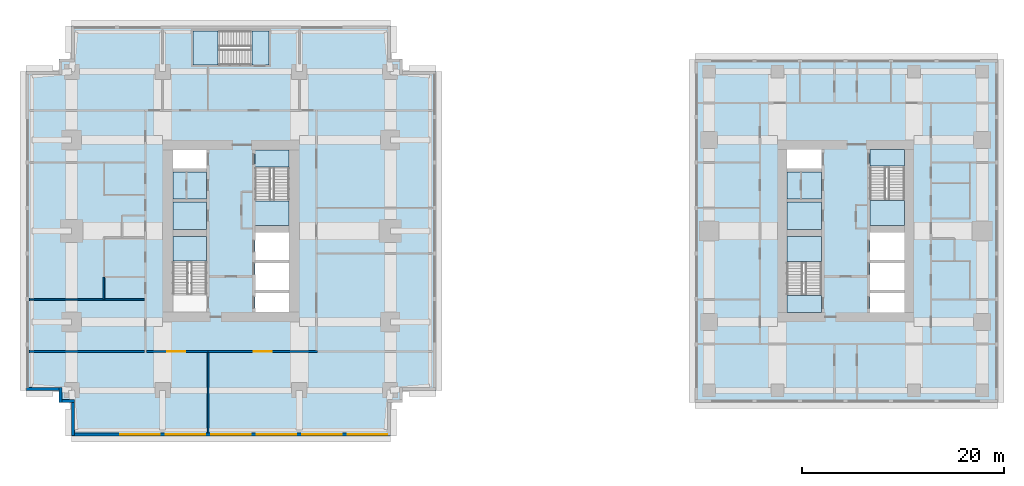
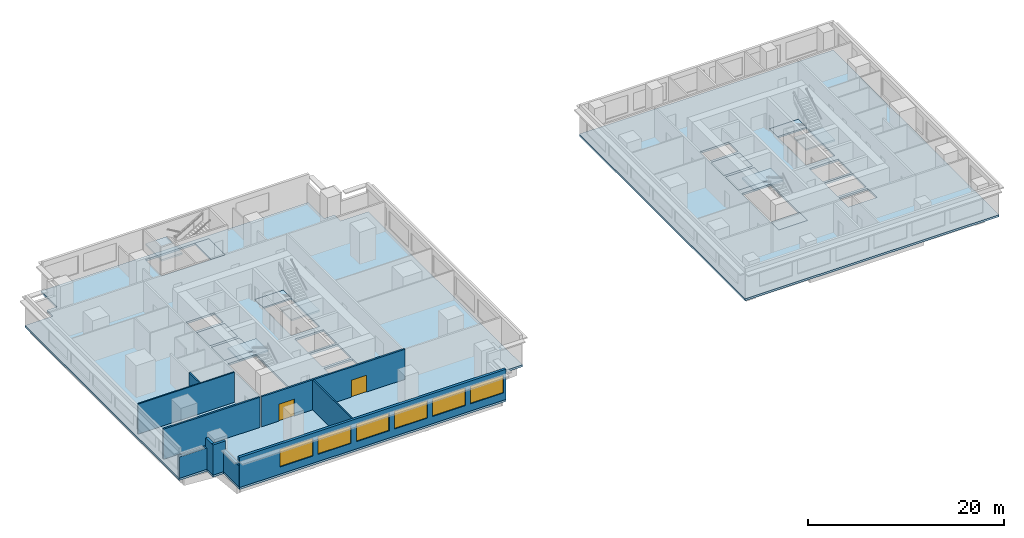
# One storey, part 2 of 11: 15 slabs, 10 walls, 6 windows, 2 doors, 8 openings, 5 elements without a shape of their own.
"""IFC4 building model written with IfcOpenShell, lengths in metres."""

import ifcopenshell
import ifcopenshell.guid

model = None  # the IFC model being written
_history = None  # IfcOwnerHistory: only IFC2X3 demands one
_inside = {}  # id of a spatial element -> (the spatial element, [elements in it])
_under = {}  # id of a project, library or spatial element -> (it, [spatial elements below it])
_declared = {}  # id of a project -> (the project, [libraries it declares])
_typed = {}  # id of a type object -> (the type object, [elements of that type])
_made_of = {}  # id of a material, layer set ... -> (it, [elements and type objects made of it])


def new_model(schema):
    """Start an empty IFC model of exactly this schema.

    Asked for "IFC4X3", IfcOpenShell would pick the latest addendum, in which some entities
    have other attributes; the version numbers below select the first issue.
    IFC2X3 requires an IfcOwnerHistory on every rooted entity: one is made here for all.
    """
    global model, _history
    if schema == "IFC4X3":
        model = ifcopenshell.file(schema_version=(4, 3, 0, 0))
    else:
        model = ifcopenshell.file(schema=schema)
    _inside.clear()
    _under.clear()
    _declared.clear()
    _typed.clear()
    _made_of.clear()
    _history = None
    if model.schema == "IFC2X3":
        org = make("IfcOrganization", Name="unknown")
        user = make(
            "IfcPersonAndOrganization",
            ThePerson=make("IfcPerson", FamilyName="unknown"),
            TheOrganization=org,
        )
        app = make(
            "IfcApplication",
            ApplicationDeveloper=org,
            Version="unknown",
            ApplicationFullName="unknown",
            ApplicationIdentifier="unknown",
        )
        _history = make(
            "IfcOwnerHistory",
            OwningUser=user,
            OwningApplication=app,
            ChangeAction="ADDED",
            CreationDate=0,
        )
    return model


def make(cls, **values):
    """One entity of the class cls with the attributes given. An attribute that is None is left unset."""
    return model.create_entity(
        cls, **{name: value for name, value in values.items() if value is not None}
    )


def rooted(cls, **values):
    """An entity with a GlobalId (a new one), such as an element, a storey or a relation."""
    return make(cls, GlobalId=ifcopenshell.guid.new(), OwnerHistory=_history, **values)


def si_unit(unit_type, name, prefix=None):
    """IfcSIUnit, for example si_unit("LENGTHUNIT", "METRE", prefix="MILLI")."""
    return make("IfcSIUnit", UnitType=unit_type, Prefix=prefix, Name=name)


def assignment(units):
    """IfcUnitAssignment: the units of a project."""
    return None if units is None else make("IfcUnitAssignment", Units=units)


def point(xyz):
    """IfcCartesianPoint."""
    return None if xyz is None else make("IfcCartesianPoint", Coordinates=xyz)


def direction(xyz):
    """IfcDirection."""
    return None if xyz is None else make("IfcDirection", DirectionRatios=xyz)


def frame(location, z_axis=None, x_axis=None):
    """IfcAxis2Placement3D, a coordinate frame: its origin and axes. An axis left out is left unset."""
    return make(
        "IfcAxis2Placement3D",
        Location=point(location),
        Axis=direction(z_axis),
        RefDirection=direction(x_axis),
    )


def frame_2d(location, x_axis=None):
    """IfcAxis2Placement2D, a coordinate frame in the plane: its origin and x axis."""
    return make(
        "IfcAxis2Placement2D", Location=point(location), RefDirection=direction(x_axis)
    )


def origin():
    """The frame at (0, 0, 0) with its axes left unset."""
    return frame((0.0, 0.0, 0.0))


def place(relative_to, where):
    """IfcLocalPlacement: puts the frame where relative to a parent placement (None: the world)."""
    return make(
        "IfcLocalPlacement", PlacementRelTo=relative_to, RelativePlacement=where
    )


def context(
    kind, dimensions, precision=None, world=None, true_north=None, identifier=None
):
    """IfcGeometricRepresentationContext, for example the 3D "Model" context."""
    return make(
        "IfcGeometricRepresentationContext",
        ContextIdentifier=identifier,
        ContextType=kind,
        CoordinateSpaceDimension=dimensions,
        Precision=precision,
        WorldCoordinateSystem=world,
        TrueNorth=true_north,
    )


def subcontext(parent, identifier, kind, view, scale=None):
    """IfcGeometricRepresentationSubContext, for example "Body" below "Model"."""
    return make(
        "IfcGeometricRepresentationSubContext",
        ContextIdentifier=identifier,
        ContextType=kind,
        ParentContext=parent,
        TargetScale=scale,
        TargetView=view,
    )


def project(units=None, contexts=None):
    """IfcProject with its units and contexts."""
    return rooted(
        "IfcProject",
        Name="project",
        RepresentationContexts=contexts,
        UnitsInContext=assignment(units),
    )


def spatial(cls, under=None, at=None, **own):
    """A site, building, storey or space (cls), placed at a placement, below another one or the project."""
    s = rooted(cls, ObjectPlacement=at, **own)
    if under is not None:
        _under.setdefault(under.id(), (under, []))[1].append(s)
    return s


def polyline(points):
    """IfcPolyline through the points."""
    return make("IfcPolyline", Points=[point(p) for p in points])


def profile(cls, at=None, kind="AREA", **sizes):
    """A parametric profile (cls). Its sizes go by their IFC names, for example OverallWidth=200.0."""
    return make(cls, ProfileType=kind, Position=at, **sizes)


def rectangle(**sizes):
    """IfcRectangleProfileDef."""
    return profile("IfcRectangleProfileDef", **sizes)


def outline(outer, holes=None, kind="AREA"):
    """IfcArbitraryClosedProfileDef: a profile drawn as a closed curve; with holes, ...WithVoids."""
    if holes is None:
        return make("IfcArbitraryClosedProfileDef", ProfileType=kind, OuterCurve=outer)
    return make(
        "IfcArbitraryProfileDefWithVoids",
        ProfileType=kind,
        OuterCurve=outer,
        InnerCurves=holes,
    )


def extrude(swept, where, along, depth):
    """IfcExtrudedAreaSolid: the profile swept, set in the frame where, extruded along a direction by depth."""
    return make(
        "IfcExtrudedAreaSolid",
        SweptArea=swept,
        Position=where,
        ExtrudedDirection=direction(along),
        Depth=depth,
    )


def shape(context_of_items, identifier, shape_type, items):
    """IfcShapeRepresentation: the items that make up one representation, for example the "Body"."""
    return make(
        "IfcShapeRepresentation",
        ContextOfItems=context_of_items,
        RepresentationIdentifier=identifier,
        RepresentationType=shape_type,
        Items=items,
    )


def material(Name=None, Category=None):
    """IfcMaterial."""
    return make("IfcMaterial", Name=Name, Category=Category)


def layer(
    of_material, thickness, ventilated=None, Name=None, Category=None, Priority=None
):
    """IfcMaterialLayer: one layer of a wall or slab, of a material (None: an air gap)."""
    return make(
        "IfcMaterialLayer",
        Material=of_material,
        LayerThickness=thickness,
        IsVentilated=ventilated,
        Name=Name,
        Category=Category,
        Priority=Priority,
    )


def layer_set(layers, Name=None):
    """IfcMaterialLayerSet."""
    return make("IfcMaterialLayerSet", MaterialLayers=layers, LayerSetName=Name)


def made_of(thing, what):
    """Note that an element or type object is made of a material, layer set ...; save() writes the relation."""
    if what is not None:
        _made_of.setdefault(what.id(), (what, []))[1].append(thing)
    return thing


def type_object(cls, material=None, **own):
    """A type object (cls), such as IfcWallType, which elements share."""
    return made_of(rooted(cls, **own), material)


def element(
    cls,
    number,
    at=None,
    inside=None,
    cuts=None,
    type_object=None,
    material=None,
    context=None,
    identifier="Body",
    shape_type=None,
    held_by="IfcProductDefinitionShape",
    body=None,
    shapes=None,
    **own,
):
    """One element of the class cls, such as IfcWall. Its Tag is "e" and its number.

    at: its placement. inside: the storey or other place that contains it. cuts: it is an
    opening in that element (IfcRelVoidsElement). A single representation is given by context,
    identifier, shape_type and body (its items); several are given by shapes. held_by: the class
    of the entity that holds the representations. save() writes the other relations.
    """
    e = rooted(cls, Tag="e%d" % number, ObjectPlacement=at, **own)
    if body is not None:
        shapes = [shape(context, identifier, shape_type, body)]
    if shapes is not None:
        e.Representation = make(held_by, Representations=shapes)
    if inside is not None:
        _inside.setdefault(inside.id(), (inside, []))[1].append(e)
    if cuts is not None:
        rooted(
            "IfcRelVoidsElement", RelatingBuildingElement=cuts, RelatedOpeningElement=e
        )
    if type_object is not None:
        _typed.setdefault(type_object.id(), (type_object, []))[1].append(e)
    return made_of(e, material)


def fill(opening, filler):
    """IfcRelFillsElement: the door or window that sits in an opening."""
    return rooted(
        "IfcRelFillsElement",
        RelatingOpeningElement=opening,
        RelatedBuildingElement=filler,
    )


def aggregate(whole, parts):
    """IfcRelAggregates: a whole, such as a stair, and the parts it consists of."""
    return rooted("IfcRelAggregates", RelatingObject=whole, RelatedObjects=parts)


def save(model, path):
    """Write the relations noted so far, then the file.

    IfcRelAggregates (storeys below a building ...), IfcRelContainedInSpatialStructure (elements
    in a storey), IfcRelDefinesByType, IfcRelAssociatesMaterial and IfcRelDeclares: one each for
    every whole, place, type object, material and project.
    """
    for whole, parts in _under.values():
        aggregate(whole, parts)
    for where, things in _inside.values():
        rooted(
            "IfcRelContainedInSpatialStructure",
            RelatedElements=things,
            RelatingStructure=where,
        )
    for kind, things in _typed.values():
        rooted("IfcRelDefinesByType", RelatedObjects=things, RelatingType=kind)
    for what, things in _made_of.values():
        rooted("IfcRelAssociatesMaterial", RelatedObjects=things, RelatingMaterial=what)
    for by, libraries in _declared.values():
        rooted("IfcRelDeclares", RelatingContext=by, RelatedDefinitions=libraries)
    model.write(path)


model = new_model("IFC4")

# Units and contexts
model_context = context("Model", 3, precision=1e-05, world=origin(), true_north=direction((0.0, 1.0)))
body_context = subcontext(model_context, "Body", "Model", "MODEL_VIEW")
ifc_project = project(units=[si_unit("LENGTHUNIT", "METRE"), si_unit("AREAUNIT", "SQUARE_METRE"), si_unit("VOLUMEUNIT", "CUBIC_METRE"), si_unit("PLANEANGLEUNIT", "RADIAN"), si_unit("MASSUNIT", "GRAM", prefix="KILO")], contexts=[model_context])

# Site, building, storey
site_placement = place(None, origin())
site = spatial("IfcSite", under=ifc_project, at=site_placement, CompositionType="ELEMENT")
building_placement = place(site_placement, origin())
building = spatial("IfcBuilding", under=site, at=building_placement, Name="Namib Vertical Campus", CompositionType="ELEMENT")
storey_placement = place(building_placement, frame((0.0, 0.0, 225.0)))
storey = spatial("IfcBuildingStorey", under=building, at=storey_placement, Name="L53", CompositionType="ELEMENT", Elevation=225.0)

# Slabs
ifc_material_1 = material(Name="Concrete C40/50", Category="concrete")
ifc_layer_1 = layer(ifc_material_1, 0.25)
ifc_layer_set_1 = layer_set([ifc_layer_1], Name="Concrete C40/50")
slab_type_1 = type_object("IfcSlabType", Name="Floor slab 250", PredefinedType="FLOOR", material=ifc_layer_set_1)
slab_1_placement = place(storey_placement, frame((0.0, 0.0, -0.25)))
element("IfcSlab", 1, at=slab_1_placement, inside=storey, type_object=slab_type_1, Name="Floor slab A L53", PredefinedType="FLOOR", context=body_context, shape_type="SweptSolid", body=[
    extrude(outline(polyline([(4.5, 0.0), (36.0, 0.0), (36.0, 3.27490234375), (37.22509765625, 3.27490234375), (37.22509765625, 4.5), (40.5, 4.5), (40.5, 36.0), (37.22509765625, 36.0), (37.22509765625, 37.22509765625), (36.0, 37.22509765625), (36.0, 40.5), (4.5, 40.5), (4.5, 37.22509765625), (3.27490234375, 37.22509765625), (3.27490234375, 36.0), (0.0, 36.0), (0.0, 4.5), (3.27490234375, 4.5), (3.27490234375, 3.27490234375), (4.5, 3.27490234375), (4.5, 0.0)]), holes=[polyline([(14.5, 12.25), (17.85009765625, 12.25), (17.85009765625, 19.699951171875), (14.5, 19.699951171875), (14.5, 12.25)]), polyline([(22.64990234375, 20.800048828125), (26.0, 20.800048828125), (26.0, 28.25), (22.64990234375, 28.25), (22.64990234375, 20.800048828125)]), polyline([(22.64990234375, 12.25), (26.0, 12.25), (26.0, 14.10009765625), (22.64990234375, 14.10009765625), (22.64990234375, 12.25)]), polyline([(14.5, 20.39990234375), (17.85009765625, 20.39990234375), (17.85009765625, 23.10009765625), (14.5, 23.10009765625), (14.5, 20.39990234375)]), polyline([(14.5, 23.39990234375), (17.85009765625, 23.39990234375), (17.85009765625, 26.10009765625), (14.5, 26.10009765625), (14.5, 23.39990234375)]), polyline([(14.5, 26.39990234375), (17.85009765625, 26.39990234375), (17.85009765625, 28.25), (14.5, 28.25), (14.5, 26.39990234375)]), polyline([(22.64990234375, 14.39990234375), (26.0, 14.39990234375), (26.0, 17.10009765625), (22.64990234375, 17.10009765625), (22.64990234375, 14.39990234375)]), polyline([(22.64990234375, 17.39990234375), (26.0, 17.39990234375), (26.0, 20.10009765625), (22.64990234375, 20.10009765625), (22.64990234375, 17.39990234375)]), polyline([(16.5, 36.64990234375), (24.0, 36.64990234375), (24.0, 40.0), (16.5, 40.0), (16.5, 36.64990234375)])]), origin(), (0.0, 0.0, 1.0), 0.25),
])
slab_2_placement = place(storey_placement, frame((0.0, 0.0, -0.25)))
element("IfcSlab", 2, at=slab_2_placement, inside=storey, type_object=slab_type_1, Name="Floor slab B L53", PredefinedType="FLOOR", context=body_context, shape_type="SweptSolid", body=[
    extrude(outline(polyline([(66.10009765625, 3.300048828125), (96.050048828125, 3.300048828125), (96.050048828125, 37.199951171875), (66.10009765625, 37.199951171875), (66.10009765625, 3.300048828125)]), holes=[polyline([(75.199951171875, 12.199951171875), (78.60009765625, 12.199951171875), (78.60009765625, 19.699951171875), (75.199951171875, 19.699951171875), (75.199951171875, 12.199951171875)]), polyline([(83.39990234375, 20.800048828125), (86.800048828125, 20.800048828125), (86.800048828125, 28.300048828125), (83.39990234375, 28.300048828125), (83.39990234375, 20.800048828125)]), polyline([(83.39990234375, 12.199951171875), (86.800048828125, 12.199951171875), (86.800048828125, 14.10009765625), (83.39990234375, 14.10009765625), (83.39990234375, 12.199951171875)]), polyline([(75.199951171875, 20.39990234375), (78.60009765625, 20.39990234375), (78.60009765625, 23.10009765625), (75.199951171875, 23.10009765625), (75.199951171875, 20.39990234375)]), polyline([(75.199951171875, 23.39990234375), (78.60009765625, 23.39990234375), (78.60009765625, 26.10009765625), (75.199951171875, 26.10009765625), (75.199951171875, 23.39990234375)]), polyline([(75.199951171875, 26.39990234375), (78.60009765625, 26.39990234375), (78.60009765625, 28.300048828125), (75.199951171875, 28.300048828125), (75.199951171875, 26.39990234375)]), polyline([(83.39990234375, 14.39990234375), (86.800048828125, 14.39990234375), (86.800048828125, 17.10009765625), (83.39990234375, 17.10009765625), (83.39990234375, 14.39990234375)]), polyline([(83.39990234375, 17.39990234375), (86.800048828125, 17.39990234375), (86.800048828125, 20.10009765625), (83.39990234375, 20.10009765625), (83.39990234375, 17.39990234375)])]), origin(), (0.0, 0.0, 1.0), 0.25),
])
ifc_material_2 = material(Name="Concrete C40/50 precast", Category="concrete")
ifc_layer_2 = layer(ifc_material_2, 0.25)
ifc_layer_set_2 = layer_set([ifc_layer_2], Name="Concrete C40/50 precast")
slab_type_2 = type_object("IfcSlabType", Name="Shaft infill floor 250", PredefinedType="FLOOR", material=ifc_layer_set_2)
slab_3_placement = place(storey_placement, frame((0.0, 0.0, -0.25)))
element("IfcSlab", 3, at=slab_3_placement, inside=storey, type_object=slab_type_2, Name="Shaft infill floor A L53 P1", PredefinedType="FLOOR", context=body_context, shape_type="SweptSolid", body=[
    extrude(outline(polyline([(14.5, 20.39990234375), (17.85009765625, 20.39990234375), (17.85009765625, 23.10009765625), (14.5, 23.10009765625), (14.5, 20.39990234375)])), origin(), (0.0, 0.0, 1.0), 0.25),
])
slab_4_placement = place(storey_placement, frame((0.0, 0.0, -0.25)))
element("IfcSlab", 4, at=slab_4_placement, inside=storey, type_object=slab_type_2, Name="Shaft infill floor A L53 P2", PredefinedType="FLOOR", context=body_context, shape_type="SweptSolid", body=[
    extrude(outline(polyline([(14.5, 23.39990234375), (17.85009765625, 23.39990234375), (17.85009765625, 26.10009765625), (14.5, 26.10009765625), (14.5, 23.39990234375)])), origin(), (0.0, 0.0, 1.0), 0.25),
])
slab_5_placement = place(storey_placement, frame((0.0, 0.0, -0.25)))
element("IfcSlab", 5, at=slab_5_placement, inside=storey, type_object=slab_type_2, Name="Shaft infill floor B L53 P1", PredefinedType="FLOOR", context=body_context, shape_type="SweptSolid", body=[
    extrude(outline(polyline([(75.199951171875, 20.39990234375), (78.60009765625, 20.39990234375), (78.60009765625, 23.10009765625), (75.199951171875, 23.10009765625), (75.199951171875, 20.39990234375)])), origin(), (0.0, 0.0, 1.0), 0.25),
])
slab_6_placement = place(storey_placement, frame((0.0, 0.0, -0.25)))
element("IfcSlab", 6, at=slab_6_placement, inside=storey, type_object=slab_type_2, Name="Shaft infill floor B L53 P2", PredefinedType="FLOOR", context=body_context, shape_type="SweptSolid", body=[
    extrude(outline(polyline([(75.199951171875, 23.39990234375), (78.60009765625, 23.39990234375), (78.60009765625, 26.10009765625), (75.199951171875, 26.10009765625), (75.199951171875, 23.39990234375)])), origin(), (0.0, 0.0, 1.0), 0.25),
])

# Stair, slab
ifc_material_3 = material(Name="Concrete C40/50 precast", Category="concrete")
stair_type_1 = type_object("IfcStairType", Name="Exit stair 4000 rise 24 risers 3350 wide", PredefinedType="HALF_TURN_STAIR", material=ifc_material_3)
stair_1_placement = place(storey_placement, origin())
stair_1 = element("IfcStair", 7, at=stair_1_placement, inside=storey, type_object=stair_type_1, Name="Exit stair A-S1 L53", PredefinedType="HALF_TURN_STAIR")
ifc_material_4 = material(Name="Concrete C40/50", Category="concrete")
ifc_layer_3 = layer(ifc_material_4, 0.199951171875)
ifc_layer_set_3 = layer_set([ifc_layer_3], Name="Concrete C40/50")
slab_type_3 = type_object("IfcSlabType", Name="Stair landing 200", PredefinedType="LANDING", material=ifc_layer_set_3)
slab_7_placement = place(storey_placement, frame((0.0, 0.0, 1.800048828125)))
slab_7 = element("IfcSlab", 8, at=slab_7_placement, type_object=slab_type_3, Name="A-S1 landing 2", PredefinedType="LANDING", context=body_context, shape_type="SweptSolid", body=[
    extrude(outline(polyline([(14.5, 17.276123046875), (17.85009765625, 17.276123046875), (17.85009765625, 19.699951171875), (14.5, 19.699951171875), (14.5, 17.276123046875)])), origin(), (0.0, 0.0, 1.0), 0.199951171875),
])
aggregate(stair_1, [slab_7])

# Stair, slabs
stair_2_placement = place(storey_placement, origin())
stair_2 = element("IfcStair", 9, at=stair_2_placement, inside=storey, type_object=stair_type_1, Name="Exit stair A-S2 L53", PredefinedType="HALF_TURN_STAIR")
slab_8_placement = place(storey_placement, frame((0.0, 0.0, -0.199951171875)))
slab_8 = element("IfcSlab", 10, at=slab_8_placement, type_object=slab_type_3, Name="A-S2 landing 1", PredefinedType="LANDING", context=body_context, shape_type="SweptSolid", body=[
    extrude(outline(polyline([(22.64990234375, 26.59619140625), (26.0, 26.59619140625), (26.0, 28.25), (22.64990234375, 28.25), (22.64990234375, 26.59619140625)])), origin(), (0.0, 0.0, 1.0), 0.199951171875),
])
slab_9_placement = place(storey_placement, frame((0.0, 0.0, 1.800048828125)))
slab_9 = element("IfcSlab", 11, at=slab_9_placement, type_object=slab_type_3, Name="A-S2 landing 2", PredefinedType="LANDING", context=body_context, shape_type="SweptSolid", body=[
    extrude(outline(polyline([(22.64990234375, 20.800048828125), (26.0, 20.800048828125), (26.0, 23.223876953125), (22.64990234375, 23.223876953125), (22.64990234375, 20.800048828125)])), origin(), (0.0, 0.0, 1.0), 0.199951171875),
])
aggregate(stair_2, [slab_8, slab_9])

ifc_material_5 = material(Name="Concrete C40/50 precast", Category="concrete")
stair_type_2 = type_object("IfcStairType", Name="Exit stair 4000 rise 24 risers 3400 wide", PredefinedType="HALF_TURN_STAIR", material=ifc_material_5)
stair_3_placement = place(storey_placement, origin())
stair_3 = element("IfcStair", 12, at=stair_3_placement, inside=storey, type_object=stair_type_2, Name="Exit stair B-S1 L53", PredefinedType="HALF_TURN_STAIR")
slab_10_placement = place(storey_placement, frame((0.0, 0.0, -0.199951171875)))
slab_10 = element("IfcSlab", 13, at=slab_10_placement, type_object=slab_type_3, Name="B-S1 landing 1", PredefinedType="LANDING", context=body_context, shape_type="SweptSolid", body=[
    extrude(outline(polyline([(75.199951171875, 12.199951171875), (78.60009765625, 12.199951171875), (78.60009765625, 13.85400390625), (75.199951171875, 13.85400390625), (75.199951171875, 12.199951171875)])), origin(), (0.0, 0.0, 1.0), 0.199951171875),
])
slab_11_placement = place(storey_placement, frame((0.0, 0.0, 1.800048828125)))
slab_11 = element("IfcSlab", 14, at=slab_11_placement, type_object=slab_type_3, Name="B-S1 landing 2", PredefinedType="LANDING", context=body_context, shape_type="SweptSolid", body=[
    extrude(outline(polyline([(75.199951171875, 17.22607421875), (78.60009765625, 17.22607421875), (78.60009765625, 19.699951171875), (75.199951171875, 19.699951171875), (75.199951171875, 17.22607421875)])), origin(), (0.0, 0.0, 1.0), 0.199951171875),
])
aggregate(stair_3, [slab_10, slab_11])

stair_4_placement = place(storey_placement, origin())
stair_4 = element("IfcStair", 15, at=stair_4_placement, inside=storey, type_object=stair_type_2, Name="Exit stair B-S2 L53", PredefinedType="HALF_TURN_STAIR")
slab_12_placement = place(storey_placement, frame((0.0, 0.0, -0.199951171875)))
slab_12 = element("IfcSlab", 16, at=slab_12_placement, type_object=slab_type_3, Name="B-S2 landing 1", PredefinedType="LANDING", context=body_context, shape_type="SweptSolid", body=[
    extrude(outline(polyline([(83.39990234375, 26.64599609375), (86.800048828125, 26.64599609375), (86.800048828125, 28.300048828125), (83.39990234375, 28.300048828125), (83.39990234375, 26.64599609375)])), origin(), (0.0, 0.0, 1.0), 0.199951171875),
])
slab_13_placement = place(storey_placement, frame((0.0, 0.0, 1.800048828125)))
slab_13 = element("IfcSlab", 17, at=slab_13_placement, type_object=slab_type_3, Name="B-S2 landing 2", PredefinedType="LANDING", context=body_context, shape_type="SweptSolid", body=[
    extrude(outline(polyline([(83.39990234375, 20.800048828125), (86.800048828125, 20.800048828125), (86.800048828125, 23.27392578125), (83.39990234375, 23.27392578125), (83.39990234375, 20.800048828125)])), origin(), (0.0, 0.0, 1.0), 0.199951171875),
])
aggregate(stair_4, [slab_12, slab_13])

stair_5_placement = place(storey_placement, origin())
stair_5 = element("IfcStair", 18, at=stair_5_placement, inside=storey, type_object=stair_type_1, Name="Exit stair A-S3 L53", PredefinedType="HALF_TURN_STAIR")
slab_14_placement = place(storey_placement, frame((0.0, 0.0, -0.199951171875)))
slab_14 = element("IfcSlab", 19, at=slab_14_placement, type_object=slab_type_3, Name="A-S3 landing 1", PredefinedType="LANDING", context=body_context, shape_type="SweptSolid", body=[
    extrude(outline(polyline([(22.34619140625, 36.64990234375), (22.34619140625, 40.0), (24.0, 40.0), (24.0, 36.64990234375), (22.34619140625, 36.64990234375)])), origin(), (0.0, 0.0, 1.0), 0.199951171875),
])
slab_15_placement = place(storey_placement, frame((0.0, 0.0, 1.800048828125)))
slab_15 = element("IfcSlab", 20, at=slab_15_placement, type_object=slab_type_3, Name="A-S3 landing 2", PredefinedType="LANDING", context=body_context, shape_type="SweptSolid", body=[
    extrude(outline(polyline([(16.5, 36.64990234375), (16.5, 40.0), (18.973876953125, 40.0), (18.973876953125, 36.64990234375), (16.5, 36.64990234375)])), origin(), (0.0, 0.0, 1.0), 0.199951171875),
])
aggregate(stair_5, [slab_14, slab_15])

# Wall, openings, doors
ifc_material_6 = material(Name="Concrete masonry", Category="masonry")
ifc_layer_4 = layer(ifc_material_6, 0.199951171875)
ifc_layer_set_4 = layer_set([ifc_layer_4], Name="Corridor wall 200")
wall_type_1 = type_object("IfcWallType", Name="Corridor wall 200", PredefinedType="SOLIDWALL", material=ifc_layer_set_4)
wall_1_placement = place(storey_placement, frame((11.89990234375, 8.35009765625, 0.0), z_axis=(0.0, 0.0, 1.0), x_axis=(1.0, 0.0, 0.0)))
wall_1 = element("IfcWall", 21, at=wall_1_placement, inside=storey, type_object=wall_type_1, Name="Corridor wall A L53 CS", PredefinedType="SOLIDWALL", context=body_context, shape_type="SweptSolid", body=[
    extrude(rectangle(XDim=16.900146484375, YDim=0.199951171875, at=frame_2d((8.4501953125, 0.0))), origin(), (0.0, 0.0, 1.0), 3.75),
])
opening_1_placement = place(wall_1_placement, frame((2.050048828125, 0.0, 0.0)))
opening_1 = element("IfcOpeningElement", 22, at=opening_1_placement, cuts=wall_1, Name="Opening CD2", PredefinedType="OPENING", context=body_context, shape_type="SweptSolid", body=[
    extrude(rectangle(XDim=1.800048828125, YDim=2.10009765625, at=frame_2d((0.89990234375, 1.050048828125))), frame((0.0, 0.10986328125, 0.0), z_axis=(0.0, -1.0, 0.0), x_axis=(1.0, 0.0, 0.0)), (0.0, 0.0, 1.0), 0.219970703125),
])
opening_2_placement = place(wall_1_placement, frame((10.60009765625, 0.0, 0.0)))
opening_2 = element("IfcOpeningElement", 23, at=opening_2_placement, cuts=wall_1, Name="Opening CD2", PredefinedType="OPENING", context=body_context, shape_type="SweptSolid", body=[
    extrude(rectangle(XDim=1.800048828125, YDim=2.10009765625, at=frame_2d((0.89990234375, 1.050048828125))), frame((0.0, 0.10986328125, 0.0), z_axis=(0.0, -1.0, 0.0), x_axis=(1.0, 0.0, 0.0)), (0.0, 0.0, 1.0), 0.219970703125),
])
ifc_material_7 = material(Name="Timber fire door leaf", Category="wood")
door_type = type_object("IfcDoorType", Name="Corridor door double 1800x2100 20 min", OperationType="DOUBLE_DOOR_SINGLE_SWING", PredefinedType="DOOR", material=ifc_material_7)
door_1_placement = place(opening_1_placement, frame((1.800048828125, 0.0, 0.0), z_axis=(0.0, 0.0, 1.0), x_axis=(-1.0, 0.0, 0.0)))
door_1 = element("IfcDoor", 24, at=door_1_placement, inside=storey, type_object=door_type, Name="Door CD2 A53-01", OperationType="DOUBLE_DOOR_SINGLE_SWING", OverallHeight=2.10009765625, OverallWidth=1.800048828125, PredefinedType="DOOR", context=body_context, shape_type="SweptSolid", body=[
    extrude(rectangle(XDim=1.800048828125, YDim=2.10009765625, at=frame_2d((0.89990234375, 1.050048828125))), frame((0.0, 0.02490234375, 0.0), z_axis=(0.0, -1.0, 0.0), x_axis=(1.0, 0.0, 0.0)), (0.0, 0.0, 1.0), 0.050048828125),
])
fill(opening_1, door_1)
door_2_placement = place(opening_2_placement, frame((1.800048828125, 0.0, 0.0), z_axis=(0.0, 0.0, 1.0), x_axis=(-1.0, 0.0, 0.0)))
door_2 = element("IfcDoor", 25, at=door_2_placement, inside=storey, type_object=door_type, Name="Door CD2 A53-02", OperationType="DOUBLE_DOOR_SINGLE_SWING", OverallHeight=2.10009765625, OverallWidth=1.800048828125, PredefinedType="DOOR", context=body_context, shape_type="SweptSolid", body=[
    extrude(rectangle(XDim=1.800048828125, YDim=2.10009765625, at=frame_2d((0.89990234375, 1.050048828125))), frame((0.0, 0.02490234375, 0.0), z_axis=(0.0, -1.0, 0.0), x_axis=(1.0, 0.0, 0.0)), (0.0, 0.0, 1.0), 0.050048828125),
])
fill(opening_2, door_2)

# Wall
wall_2_placement = place(storey_placement, frame((0.300048828125, 8.35009765625, 0.0), z_axis=(0.0, 0.0, 1.0), x_axis=(1.0, 0.0, 0.0)))
element("IfcWall", 26, at=wall_2_placement, inside=storey, type_object=wall_type_1, Name="Partition A L53 BSW", PredefinedType="SOLIDWALL", context=body_context, shape_type="SweptSolid", body=[
    extrude(rectangle(XDim=11.39990234375, YDim=0.199951171875, at=frame_2d((5.699951171875, 0.0))), origin(), (0.0, 0.0, 1.0), 3.75),
])

# Wall, openings, windows
ifc_material_8 = material(Name="Concrete C40/50", Category="concrete")
ifc_layer_5 = layer(ifc_material_8, 0.300048828125)
ifc_layer_set_5 = layer_set([ifc_layer_5], Name="Concrete C40/50")
wall_type_2 = type_object("IfcWallType", Name="External wall 300 board-marked concrete", PredefinedType="STANDARD", material=ifc_layer_set_5)
wall_3_placement = place(storey_placement, frame((4.52001953125, 0.14990234375, 0.0), z_axis=(0.0, 0.0, 1.0), x_axis=(1.0, 0.0, 0.0)))
wall_3 = element("IfcWall", 27, at=wall_3_placement, inside=storey, type_object=wall_type_2, Name="External wall L53 F01", PredefinedType="STANDARD", context=body_context, shape_type="SweptSolid", body=[
    extrude(rectangle(XDim=31.4599609375, YDim=0.300048828125, at=frame_2d((15.72998046875, 0.0))), origin(), (0.0, 0.0, 1.0), 3.75),
])
opening_3_placement = place(wall_3_placement, frame((4.780029296875, 0.0, 0.89990234375)))
opening_3 = element("IfcOpeningElement", 28, at=opening_3_placement, cuts=wall_3, Name="Opening W1", PredefinedType="OPENING", context=body_context, shape_type="SweptSolid", body=[
    extrude(rectangle(XDim=3.89990234375, YDim=2.199951171875, at=frame_2d((1.949951171875, 1.10009765625))), frame((0.0, 0.159912109375, 0.0), z_axis=(0.0, -1.0, 0.0), x_axis=(1.0, 0.0, 0.0)), (0.0, 0.0, 1.0), 0.320068359375),
])
opening_4_placement = place(wall_3_placement, frame((9.280029296875, 0.0, 0.89990234375)))
opening_4 = element("IfcOpeningElement", 29, at=opening_4_placement, cuts=wall_3, Name="Opening W1", PredefinedType="OPENING", context=body_context, shape_type="SweptSolid", body=[
    extrude(rectangle(XDim=3.89990234375, YDim=2.199951171875, at=frame_2d((1.949951171875, 1.10009765625))), frame((0.0, 0.159912109375, 0.0), z_axis=(0.0, -1.0, 0.0), x_axis=(1.0, 0.0, 0.0)), (0.0, 0.0, 1.0), 0.320068359375),
])
opening_5_placement = place(wall_3_placement, frame((13.780029296875, 0.0, 0.89990234375)))
opening_5 = element("IfcOpeningElement", 30, at=opening_5_placement, cuts=wall_3, Name="Opening W1", PredefinedType="OPENING", context=body_context, shape_type="SweptSolid", body=[
    extrude(rectangle(XDim=3.89990234375, YDim=2.199951171875, at=frame_2d((1.949951171875, 1.10009765625))), frame((0.0, 0.159912109375, 0.0), z_axis=(0.0, -1.0, 0.0), x_axis=(1.0, 0.0, 0.0)), (0.0, 0.0, 1.0), 0.320068359375),
])
opening_6_placement = place(wall_3_placement, frame((18.280029296875, 0.0, 0.89990234375)))
opening_6 = element("IfcOpeningElement", 31, at=opening_6_placement, cuts=wall_3, Name="Opening W1", PredefinedType="OPENING", context=body_context, shape_type="SweptSolid", body=[
    extrude(rectangle(XDim=3.89990234375, YDim=2.199951171875, at=frame_2d((1.949951171875, 1.10009765625))), frame((0.0, 0.159912109375, 0.0), z_axis=(0.0, -1.0, 0.0), x_axis=(1.0, 0.0, 0.0)), (0.0, 0.0, 1.0), 0.320068359375),
])
opening_7_placement = place(wall_3_placement, frame((22.780029296875, 0.0, 0.89990234375)))
opening_7 = element("IfcOpeningElement", 32, at=opening_7_placement, cuts=wall_3, Name="Opening W1", PredefinedType="OPENING", context=body_context, shape_type="SweptSolid", body=[
    extrude(rectangle(XDim=3.89990234375, YDim=2.199951171875, at=frame_2d((1.949951171875, 1.10009765625))), frame((0.0, 0.159912109375, 0.0), z_axis=(0.0, -1.0, 0.0), x_axis=(1.0, 0.0, 0.0)), (0.0, 0.0, 1.0), 0.320068359375),
])
opening_8_placement = place(wall_3_placement, frame((27.280029296875, 0.0, 0.89990234375)))
opening_8 = element("IfcOpeningElement", 33, at=opening_8_placement, cuts=wall_3, Name="Opening W1", PredefinedType="OPENING", context=body_context, shape_type="SweptSolid", body=[
    extrude(rectangle(XDim=3.89990234375, YDim=2.199951171875, at=frame_2d((1.949951171875, 1.10009765625))), frame((0.0, 0.159912109375, 0.0), z_axis=(0.0, -1.0, 0.0), x_axis=(1.0, 0.0, 0.0)), (0.0, 0.0, 1.0), 0.320068359375),
])
ifc_material_9 = material(Name="Dark tinted glass in black aluminium frame", Category="aluminium")
window_type = type_object("IfcWindowType", Name="Ribbon window 3900x2200", PartitioningType="SINGLE_PANEL", PredefinedType="WINDOW", material=ifc_material_9)
window_1_placement = place(opening_3_placement, origin())
window_1 = element("IfcWindow", 34, at=window_1_placement, inside=storey, type_object=window_type, Name="Window W1 L53 F01-2", OverallHeight=2.199951171875, OverallWidth=3.89990234375, PartitioningType="SINGLE_PANEL", PredefinedType="WINDOW", context=body_context, shape_type="SweptSolid", body=[
    extrude(rectangle(XDim=3.89990234375, YDim=2.199951171875, at=frame_2d((1.949951171875, 1.10009765625))), frame((0.0, 0.030029296875, 0.0), z_axis=(0.0, -1.0, 0.0), x_axis=(1.0, 0.0, 0.0)), (0.0, 0.0, 1.0), 0.06005859375),
])
fill(opening_3, window_1)
window_2_placement = place(opening_4_placement, origin())
window_2 = element("IfcWindow", 35, at=window_2_placement, inside=storey, type_object=window_type, Name="Window W1 L53 F01-3", OverallHeight=2.199951171875, OverallWidth=3.89990234375, PartitioningType="SINGLE_PANEL", PredefinedType="WINDOW", context=body_context, shape_type="SweptSolid", body=[
    extrude(rectangle(XDim=3.89990234375, YDim=2.199951171875, at=frame_2d((1.949951171875, 1.10009765625))), frame((0.0, 0.030029296875, 0.0), z_axis=(0.0, -1.0, 0.0), x_axis=(1.0, 0.0, 0.0)), (0.0, 0.0, 1.0), 0.06005859375),
])
fill(opening_4, window_2)
window_3_placement = place(opening_5_placement, origin())
window_3 = element("IfcWindow", 36, at=window_3_placement, inside=storey, type_object=window_type, Name="Window W1 L53 F01-4", OverallHeight=2.199951171875, OverallWidth=3.89990234375, PartitioningType="SINGLE_PANEL", PredefinedType="WINDOW", context=body_context, shape_type="SweptSolid", body=[
    extrude(rectangle(XDim=3.89990234375, YDim=2.199951171875, at=frame_2d((1.949951171875, 1.10009765625))), frame((0.0, 0.030029296875, 0.0), z_axis=(0.0, -1.0, 0.0), x_axis=(1.0, 0.0, 0.0)), (0.0, 0.0, 1.0), 0.06005859375),
])
fill(opening_5, window_3)
window_4_placement = place(opening_6_placement, origin())
window_4 = element("IfcWindow", 37, at=window_4_placement, inside=storey, type_object=window_type, Name="Window W1 L53 F01-5", OverallHeight=2.199951171875, OverallWidth=3.89990234375, PartitioningType="SINGLE_PANEL", PredefinedType="WINDOW", context=body_context, shape_type="SweptSolid", body=[
    extrude(rectangle(XDim=3.89990234375, YDim=2.199951171875, at=frame_2d((1.949951171875, 1.10009765625))), frame((0.0, 0.030029296875, 0.0), z_axis=(0.0, -1.0, 0.0), x_axis=(1.0, 0.0, 0.0)), (0.0, 0.0, 1.0), 0.06005859375),
])
fill(opening_6, window_4)
window_5_placement = place(opening_7_placement, origin())
window_5 = element("IfcWindow", 38, at=window_5_placement, inside=storey, type_object=window_type, Name="Window W1 L53 F01-6", OverallHeight=2.199951171875, OverallWidth=3.89990234375, PartitioningType="SINGLE_PANEL", PredefinedType="WINDOW", context=body_context, shape_type="SweptSolid", body=[
    extrude(rectangle(XDim=3.89990234375, YDim=2.199951171875, at=frame_2d((1.949951171875, 1.10009765625))), frame((0.0, 0.030029296875, 0.0), z_axis=(0.0, -1.0, 0.0), x_axis=(1.0, 0.0, 0.0)), (0.0, 0.0, 1.0), 0.06005859375),
])
fill(opening_7, window_5)
window_6_placement = place(opening_8_placement, origin())
window_6 = element("IfcWindow", 39, at=window_6_placement, inside=storey, type_object=window_type, Name="Window W1 L53 F01-7", OverallHeight=2.199951171875, OverallWidth=3.89990234375, PartitioningType="SINGLE_PANEL", PredefinedType="WINDOW", context=body_context, shape_type="SweptSolid", body=[
    extrude(rectangle(XDim=3.89990234375, YDim=2.199951171875, at=frame_2d((1.949951171875, 1.10009765625))), frame((0.0, 0.030029296875, 0.0), z_axis=(0.0, -1.0, 0.0), x_axis=(1.0, 0.0, 0.0)), (0.0, 0.0, 1.0), 0.06005859375),
])
fill(opening_8, window_6)

# Walls
wall_4_placement = place(storey_placement, frame((0.02001953125, 4.64990234375, 0.0), z_axis=(0.0, 0.0, 1.0), x_axis=(1.0, 0.0, 0.0)))
element("IfcWall", 40, at=wall_4_placement, inside=storey, type_object=wall_type_2, Name="External wall L53 F17", PredefinedType="STANDARD", context=body_context, shape_type="SweptSolid", body=[
    extrude(rectangle(XDim=3.534912109375, YDim=0.300048828125, at=frame_2d((1.767578125, 0.0))), origin(), (0.0, 0.0, 1.0), 2.64990234375),
])
for number, where, z_axis, x_axis, name in (
    (41, (3.425048828125, 4.780029296875, 0.0), (0.0, 0.0, 1.0), (0.0, -1.0, 0.0), "External wall L53 F18"),
    (42, (3.294921875, 3.425048828125, 0.0), (0.0, 0.0, 1.0), (1.0, 0.0, 0.0), "External wall L53 F19"),
):
    element("IfcWall", number, at=place(storey_placement, frame(where, z_axis=z_axis, x_axis=x_axis)), inside=storey, type_object=wall_type_2, Name=name, PredefinedType="STANDARD", context=body_context, shape_type="SweptSolid", body=[
        extrude(rectangle(XDim=1.485107421875, YDim=0.300048828125, at=frame_2d((0.74267578125, 0.0))), origin(), (0.0, 0.0, 1.0), 3.75),
    ])
wall_5_placement = place(storey_placement, frame((4.64990234375, 3.554931640625, 0.0), z_axis=(0.0, 0.0, 1.0), x_axis=(0.0, -1.0, 0.0)))
element("IfcWall", 43, at=wall_5_placement, inside=storey, type_object=wall_type_2, Name="External wall L53 F20", PredefinedType="STANDARD", context=body_context, shape_type="SweptSolid", body=[
    extrude(rectangle(XDim=3.534912109375, YDim=0.300048828125, at=frame_2d((1.767578125, 0.0))), origin(), (0.0, 0.0, 1.0), 2.64990234375),
])
ifc_material_10 = material(Name="Gypsum board on steel studs", Category="steel")
ifc_layer_6 = layer(ifc_material_10, 0.14990234375)
ifc_layer_set_6 = layer_set([ifc_layer_6], Name="Gypsum board on steel studs")
wall_type_3 = type_object("IfcWallType", Name="Partition 150", PredefinedType="PARTITIONING", material=ifc_layer_set_6)
wall_6_placement = place(storey_placement, frame((18.0, 0.300048828125, 0.0), z_axis=(0.0, 0.0, 1.0), x_axis=(0.0, 1.0, 0.0)))
element("IfcWall", 44, at=wall_6_placement, inside=storey, type_object=wall_type_3, Name="Partition A L53 PS1", PredefinedType="PARTITIONING", context=body_context, shape_type="SweptSolid", body=[
    extrude(rectangle(XDim=7.949951171875, YDim=0.14990234375, at=frame_2d((3.97509765625, 0.0))), origin(), (0.0, 0.0, 1.0), 3.75),
])
wall_7_placement = place(storey_placement, frame((0.300048828125, 13.5, 0.0), z_axis=(0.0, 0.0, 1.0), x_axis=(1.0, 0.0, 0.0)))
element("IfcWall", 45, at=wall_7_placement, inside=storey, type_object=wall_type_3, Name="Partition A L53 PW1", PredefinedType="PARTITIONING", context=body_context, shape_type="SweptSolid", body=[
    extrude(rectangle(XDim=11.39990234375, YDim=0.14990234375, at=frame_2d((5.699951171875, 0.0))), origin(), (0.0, 0.0, 1.0), 3.75),
])
wall_8_placement = place(storey_placement, frame((7.699951171875, 13.5, 0.0), z_axis=(0.0, 0.0, 1.0), x_axis=(0.0, 1.0, 0.0)))
element("IfcWall", 46, at=wall_8_placement, inside=storey, type_object=wall_type_3, Name="Partition A L53 WB1", PredefinedType="PARTITIONING", context=body_context, shape_type="SweptSolid", body=[
    extrude(rectangle(XDim=2.199951171875, YDim=0.14990234375, at=frame_2d((1.10009765625, 0.0))), origin(), (0.0, 0.0, 1.0), 3.75),
])

save(model, "model.ifc")
